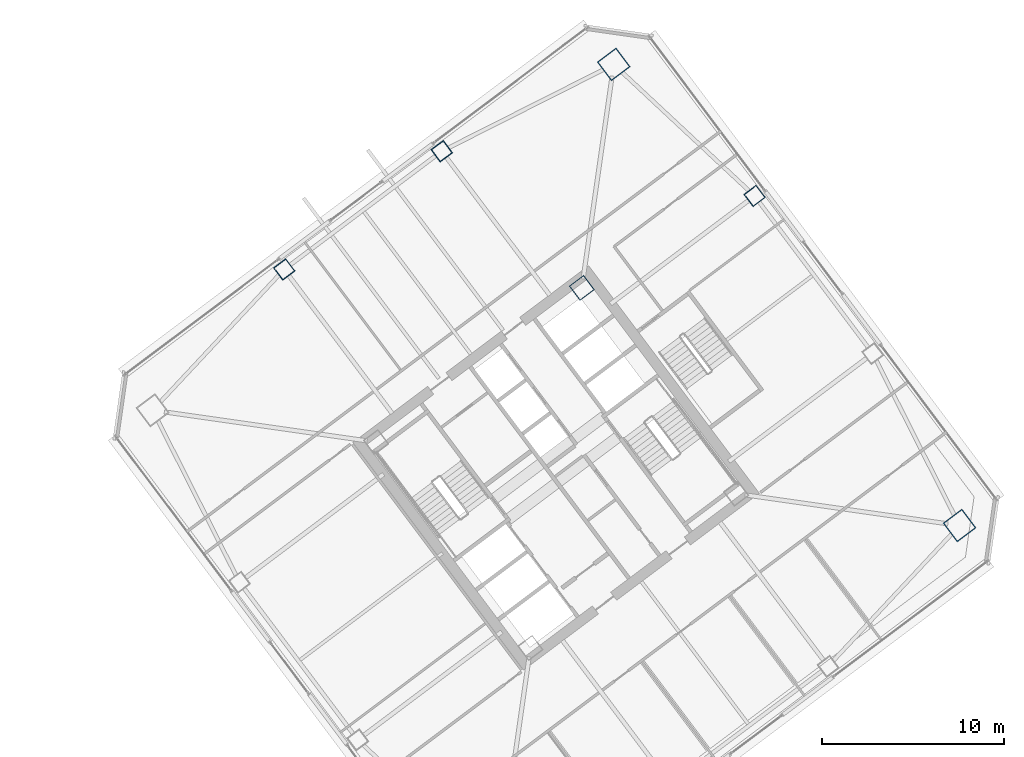
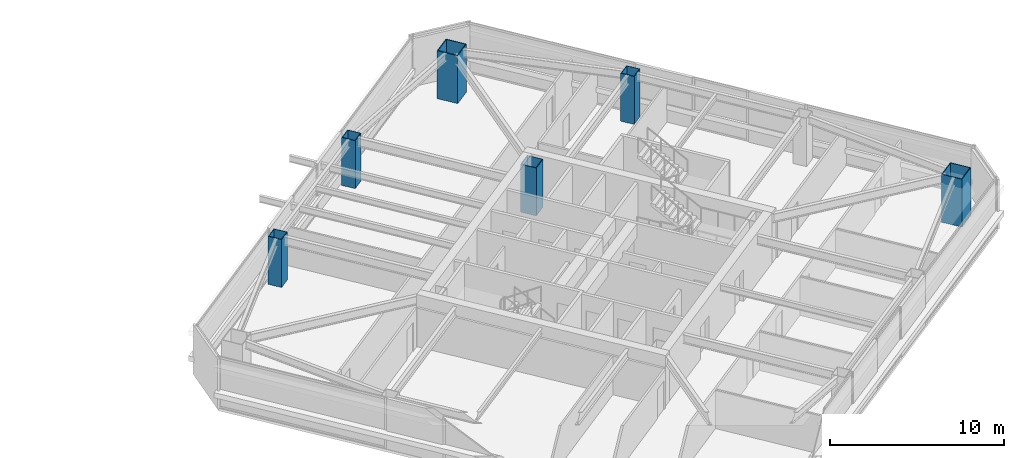
# One storey, part 2 of 42: 6 columns.
"""IFC4 building model written with IfcOpenShell, lengths in metres."""

import ifcopenshell
import ifcopenshell.guid

model = None  # the IFC model being written
_history = None  # IfcOwnerHistory: only IFC2X3 demands one
_inside = {}  # id of a spatial element -> (the spatial element, [elements in it])
_under = {}  # id of a project, library or spatial element -> (it, [spatial elements below it])
_declared = {}  # id of a project -> (the project, [libraries it declares])
_typed = {}  # id of a type object -> (the type object, [elements of that type])
_made_of = {}  # id of a material, layer set ... -> (it, [elements and type objects made of it])


def new_model(schema):
    """Start an empty IFC model of exactly this schema.

    Asked for "IFC4X3", IfcOpenShell would pick the latest addendum, in which some entities
    have other attributes; the version numbers below select the first issue.
    IFC2X3 requires an IfcOwnerHistory on every rooted entity: one is made here for all.
    """
    global model, _history
    if schema == "IFC4X3":
        model = ifcopenshell.file(schema_version=(4, 3, 0, 0))
    else:
        model = ifcopenshell.file(schema=schema)
    _inside.clear()
    _under.clear()
    _declared.clear()
    _typed.clear()
    _made_of.clear()
    _history = None
    if model.schema == "IFC2X3":
        org = make("IfcOrganization", Name="unknown")
        user = make(
            "IfcPersonAndOrganization",
            ThePerson=make("IfcPerson", FamilyName="unknown"),
            TheOrganization=org,
        )
        app = make(
            "IfcApplication",
            ApplicationDeveloper=org,
            Version="unknown",
            ApplicationFullName="unknown",
            ApplicationIdentifier="unknown",
        )
        _history = make(
            "IfcOwnerHistory",
            OwningUser=user,
            OwningApplication=app,
            ChangeAction="ADDED",
            CreationDate=0,
        )
    return model


def make(cls, **values):
    """One entity of the class cls with the attributes given. An attribute that is None is left unset."""
    return model.create_entity(
        cls, **{name: value for name, value in values.items() if value is not None}
    )


def rooted(cls, **values):
    """An entity with a GlobalId (a new one), such as an element, a storey or a relation."""
    return make(cls, GlobalId=ifcopenshell.guid.new(), OwnerHistory=_history, **values)


def si_unit(unit_type, name, prefix=None):
    """IfcSIUnit, for example si_unit("LENGTHUNIT", "METRE", prefix="MILLI")."""
    return make("IfcSIUnit", UnitType=unit_type, Prefix=prefix, Name=name)


def assignment(units):
    """IfcUnitAssignment: the units of a project."""
    return None if units is None else make("IfcUnitAssignment", Units=units)


def point(xyz):
    """IfcCartesianPoint."""
    return None if xyz is None else make("IfcCartesianPoint", Coordinates=xyz)


def direction(xyz):
    """IfcDirection."""
    return None if xyz is None else make("IfcDirection", DirectionRatios=xyz)


def frame(location, z_axis=None, x_axis=None):
    """IfcAxis2Placement3D, a coordinate frame: its origin and axes. An axis left out is left unset."""
    return make(
        "IfcAxis2Placement3D",
        Location=point(location),
        Axis=direction(z_axis),
        RefDirection=direction(x_axis),
    )


def frame_2d(location, x_axis=None):
    """IfcAxis2Placement2D, a coordinate frame in the plane: its origin and x axis."""
    return make(
        "IfcAxis2Placement2D", Location=point(location), RefDirection=direction(x_axis)
    )


def origin():
    """The frame at (0, 0, 0) with its axes left unset."""
    return frame((0.0, 0.0, 0.0))


def origin_2d():
    """The frame at (0, 0) in the plane with its x axis left unset."""
    return frame_2d((0.0, 0.0))


def place(relative_to, where):
    """IfcLocalPlacement: puts the frame where relative to a parent placement (None: the world)."""
    return make(
        "IfcLocalPlacement", PlacementRelTo=relative_to, RelativePlacement=where
    )


def context(
    kind, dimensions, precision=None, world=None, true_north=None, identifier=None
):
    """IfcGeometricRepresentationContext, for example the 3D "Model" context."""
    return make(
        "IfcGeometricRepresentationContext",
        ContextIdentifier=identifier,
        ContextType=kind,
        CoordinateSpaceDimension=dimensions,
        Precision=precision,
        WorldCoordinateSystem=world,
        TrueNorth=true_north,
    )


def subcontext(parent, identifier, kind, view, scale=None):
    """IfcGeometricRepresentationSubContext, for example "Body" below "Model"."""
    return make(
        "IfcGeometricRepresentationSubContext",
        ContextIdentifier=identifier,
        ContextType=kind,
        ParentContext=parent,
        TargetScale=scale,
        TargetView=view,
    )


def project(units=None, contexts=None):
    """IfcProject with its units and contexts."""
    return rooted(
        "IfcProject",
        Name="project",
        RepresentationContexts=contexts,
        UnitsInContext=assignment(units),
    )


def spatial(cls, under=None, at=None, **own):
    """A site, building, storey or space (cls), placed at a placement, below another one or the project."""
    s = rooted(cls, ObjectPlacement=at, **own)
    if under is not None:
        _under.setdefault(under.id(), (under, []))[1].append(s)
    return s


def profile(cls, at=None, kind="AREA", **sizes):
    """A parametric profile (cls). Its sizes go by their IFC names, for example OverallWidth=200.0."""
    return make(cls, ProfileType=kind, Position=at, **sizes)


def hollow_rectangle(**sizes):
    """IfcRectangleHollowProfileDef."""
    return profile("IfcRectangleHollowProfileDef", **sizes)


def extrude(swept, where, along, depth):
    """IfcExtrudedAreaSolid: the profile swept, set in the frame where, extruded along a direction by depth."""
    return make(
        "IfcExtrudedAreaSolid",
        SweptArea=swept,
        Position=where,
        ExtrudedDirection=direction(along),
        Depth=depth,
    )


def shape(context_of_items, identifier, shape_type, items):
    """IfcShapeRepresentation: the items that make up one representation, for example the "Body"."""
    return make(
        "IfcShapeRepresentation",
        ContextOfItems=context_of_items,
        RepresentationIdentifier=identifier,
        RepresentationType=shape_type,
        Items=items,
    )


def material(Name=None, Category=None):
    """IfcMaterial."""
    return make("IfcMaterial", Name=Name, Category=Category)


def material_profile(
    of_material, cross_section, Name=None, Category=None, Priority=None
):
    """IfcMaterialProfile: a cross section and its material."""
    return make(
        "IfcMaterialProfile",
        Name=Name,
        Material=of_material,
        Profile=cross_section,
        Priority=Priority,
        Category=Category,
    )


def profile_set(profiles, Name=None, composite=None):
    """IfcMaterialProfileSet."""
    return make(
        "IfcMaterialProfileSet",
        Name=Name,
        MaterialProfiles=profiles,
        CompositeProfile=composite,
    )


def made_of(thing, what):
    """Note that an element or type object is made of a material, layer set ...; save() writes the relation."""
    if what is not None:
        _made_of.setdefault(what.id(), (what, []))[1].append(thing)
    return thing


def type_object(cls, material=None, **own):
    """A type object (cls), such as IfcWallType, which elements share."""
    return made_of(rooted(cls, **own), material)


def element(
    cls,
    number,
    at=None,
    inside=None,
    cuts=None,
    type_object=None,
    material=None,
    context=None,
    identifier="Body",
    shape_type=None,
    held_by="IfcProductDefinitionShape",
    body=None,
    shapes=None,
    **own,
):
    """One element of the class cls, such as IfcWall. Its Tag is "e" and its number.

    at: its placement. inside: the storey or other place that contains it. cuts: it is an
    opening in that element (IfcRelVoidsElement). A single representation is given by context,
    identifier, shape_type and body (its items); several are given by shapes. held_by: the class
    of the entity that holds the representations. save() writes the other relations.
    """
    e = rooted(cls, Tag="e%d" % number, ObjectPlacement=at, **own)
    if body is not None:
        shapes = [shape(context, identifier, shape_type, body)]
    if shapes is not None:
        e.Representation = make(held_by, Representations=shapes)
    if inside is not None:
        _inside.setdefault(inside.id(), (inside, []))[1].append(e)
    if cuts is not None:
        rooted(
            "IfcRelVoidsElement", RelatingBuildingElement=cuts, RelatedOpeningElement=e
        )
    if type_object is not None:
        _typed.setdefault(type_object.id(), (type_object, []))[1].append(e)
    return made_of(e, material)


def aggregate(whole, parts):
    """IfcRelAggregates: a whole, such as a stair, and the parts it consists of."""
    return rooted("IfcRelAggregates", RelatingObject=whole, RelatedObjects=parts)


def save(model, path):
    """Write the relations noted so far, then the file.

    IfcRelAggregates (storeys below a building ...), IfcRelContainedInSpatialStructure (elements
    in a storey), IfcRelDefinesByType, IfcRelAssociatesMaterial and IfcRelDeclares: one each for
    every whole, place, type object, material and project.
    """
    for whole, parts in _under.values():
        aggregate(whole, parts)
    for where, things in _inside.values():
        rooted(
            "IfcRelContainedInSpatialStructure",
            RelatedElements=things,
            RelatingStructure=where,
        )
    for kind, things in _typed.values():
        rooted("IfcRelDefinesByType", RelatedObjects=things, RelatingType=kind)
    for what, things in _made_of.values():
        rooted("IfcRelAssociatesMaterial", RelatedObjects=things, RelatingMaterial=what)
    for by, libraries in _declared.values():
        rooted("IfcRelDeclares", RelatingContext=by, RelatedDefinitions=libraries)
    model.write(path)


model = new_model("IFC4")

# Units and contexts
model_context = context("Model", 3, precision=1e-05, world=origin(), true_north=direction((0.0, 1.0)))
body_context = subcontext(model_context, "Body", "Model", "MODEL_VIEW")
ifc_project = project(units=[si_unit("LENGTHUNIT", "METRE"), si_unit("AREAUNIT", "SQUARE_METRE"), si_unit("VOLUMEUNIT", "CUBIC_METRE"), si_unit("PLANEANGLEUNIT", "RADIAN"), si_unit("MASSUNIT", "GRAM", prefix="KILO")], contexts=[model_context])

# Site, building, storey
site_placement = place(None, origin())
site = spatial("IfcSite", under=ifc_project, at=site_placement, CompositionType="ELEMENT")
building_placement = place(site_placement, origin())
building = spatial("IfcBuilding", under=site, at=building_placement, Name="Tashvorn Skyway Center", CompositionType="ELEMENT")
storey_placement = place(building_placement, frame((0.0, 0.0, 121.5)))
storey = spatial("IfcBuildingStorey", under=building, at=storey_placement, Name="L32", CompositionType="ELEMENT", Elevation=121.5)

# Columns
ifc_material = material(Name="Steel ASTM A572 Grade 50", Category="steel")
ifc_material_profile_1 = material_profile(ifc_material, hollow_rectangle(XDim=1.0, YDim=1.0, WallThickness=0.0400390625, at=origin_2d()), Name="BOX1000x1000x40")
ifc_profile_set_1 = profile_set([ifc_material_profile_1], Name="Steel ASTM A572 Grade 50")
column_type_1 = type_object("IfcColumnType", Name="COL-BOX1000x1000x40", PredefinedType="COLUMN", material=ifc_profile_set_1)
column_placement = place(storey_placement, frame((115.409912109375, 41.8701171875, 0.0), z_axis=(0.0, 0.0, 1.0), x_axis=(0.799999996291, 0.600000004945, 0.0)))
element("IfcColumn", 1, at=column_placement, inside=storey, type_object=column_type_1, Name="Tower 2 L32 Core Corner Column CC-NE", PredefinedType="COLUMN", context=body_context, shape_type="SweptSolid", body=[
    extrude(hollow_rectangle(XDim=1.0, YDim=1.0, WallThickness=0.0400390625, at=origin_2d()), origin(), (0.0, 0.0, 1.0), 3.3701171875),
])
ifc_material_profile_2 = material_profile(ifc_material, hollow_rectangle(XDim=1.300048828125, YDim=1.300048828125, WallThickness=0.050048828125, at=origin_2d()), Name="BOX1300x1300x50")
ifc_profile_set_2 = profile_set([ifc_material_profile_2], Name="Steel ASTM A572 Grade 50")
column_type_2 = type_object("IfcColumnType", Name="COL-BOX1300x1300x50", PredefinedType="COLUMN", material=ifc_profile_set_2)
for number, where, z_axis, x_axis, name in (
    (2, (136.1201171875, 28.840087890625, 0.0), (0.0, 0.0, 1.0), (0.799999996291, 0.600000004945, 0.0), "Tower 2 L32 Mega-Column MC-SE"),
    (3, (117.159912109375, 54.1201171875, 0.0), (0.0, 0.0, 1.0), (0.799999996291, 0.600000004945, 0.0), "Tower 2 L32 Mega-Column MC-NE"),
):
    element("IfcColumn", number, at=place(storey_placement, frame(where, z_axis=z_axis, x_axis=x_axis)), inside=storey, type_object=column_type_2, Name=name, PredefinedType="COLUMN", context=body_context, shape_type="SweptSolid", body=[
        extrude(hollow_rectangle(XDim=1.300048828125, YDim=1.300048828125, WallThickness=0.050048828125, at=origin_2d()), origin(), (0.0, 0.0, 1.0), 3.3701171875),
    ])
ifc_material_profile_3 = material_profile(ifc_material, hollow_rectangle(XDim=0.85009765625, YDim=0.85009765625, WallThickness=0.034912109375, at=origin_2d()), Name="BOX850x850x35")
ifc_profile_set_3 = profile_set([ifc_material_profile_3], Name="Steel ASTM A572 Grade 50")
column_type_3 = type_object("IfcColumnType", Name="COL-BOX850x850x35", PredefinedType="COLUMN", material=ifc_profile_set_3)
for number, where, z_axis, x_axis, name in (
    (4, (124.8798828125, 46.909912109375, 0.0), (0.0, 0.0, 1.0), (0.799999996291, 0.600000004945, 0.0), "Tower 2 L32 Perimeter Column FC-E2"),
    (5, (107.72998046875, 49.360107421875, 0.0), (0.0, 0.0, 1.0), (0.799999996291, 0.600000004945, 0.0), "Tower 2 L32 Perimeter Column FC-N1"),
    (6, (99.090087890625, 42.8798828125, 0.0), (0.0, 0.0, 1.0), (0.799999996291, 0.600000004945, 0.0), "Tower 2 L32 Perimeter Column FC-N2"),
):
    element("IfcColumn", number, at=place(storey_placement, frame(where, z_axis=z_axis, x_axis=x_axis)), inside=storey, type_object=column_type_3, Name=name, PredefinedType="COLUMN", context=body_context, shape_type="SweptSolid", body=[
        extrude(hollow_rectangle(XDim=0.85009765625, YDim=0.85009765625, WallThickness=0.034912109375, at=origin_2d()), origin(), (0.0, 0.0, 1.0), 3.3701171875),
    ])

save(model, "model.ifc")
